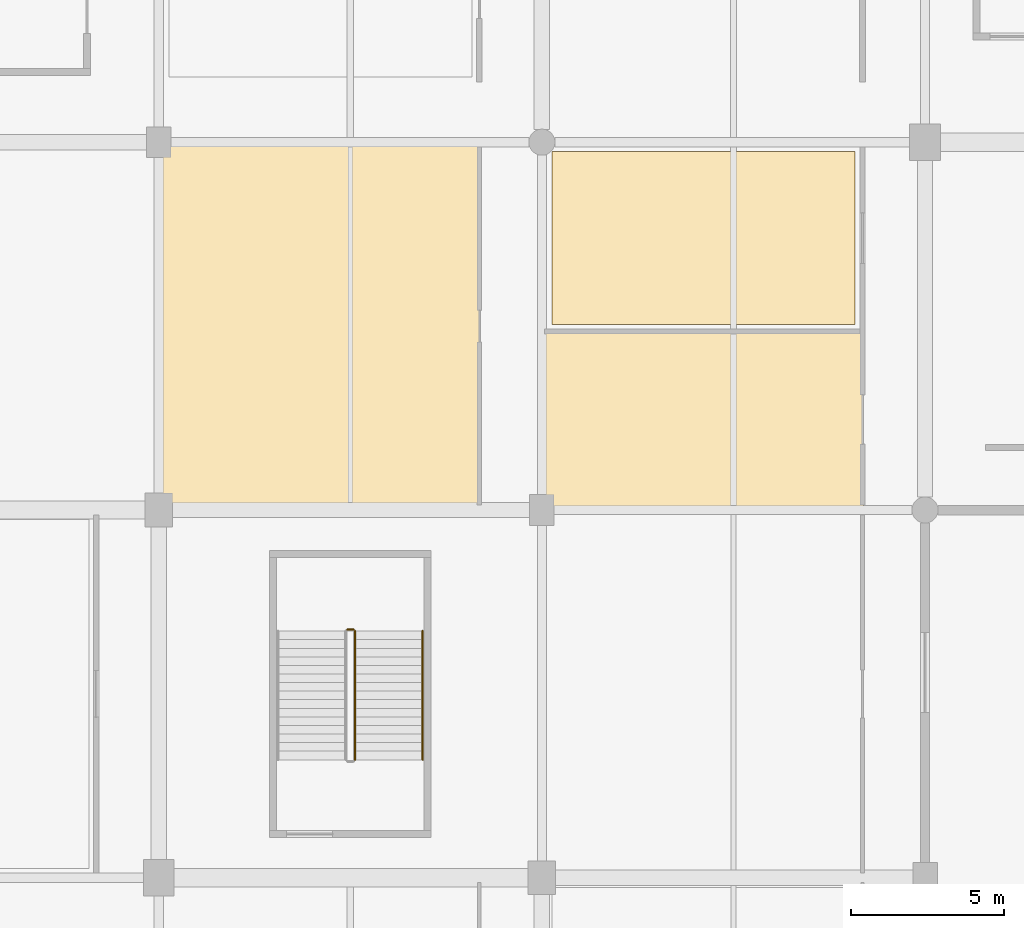
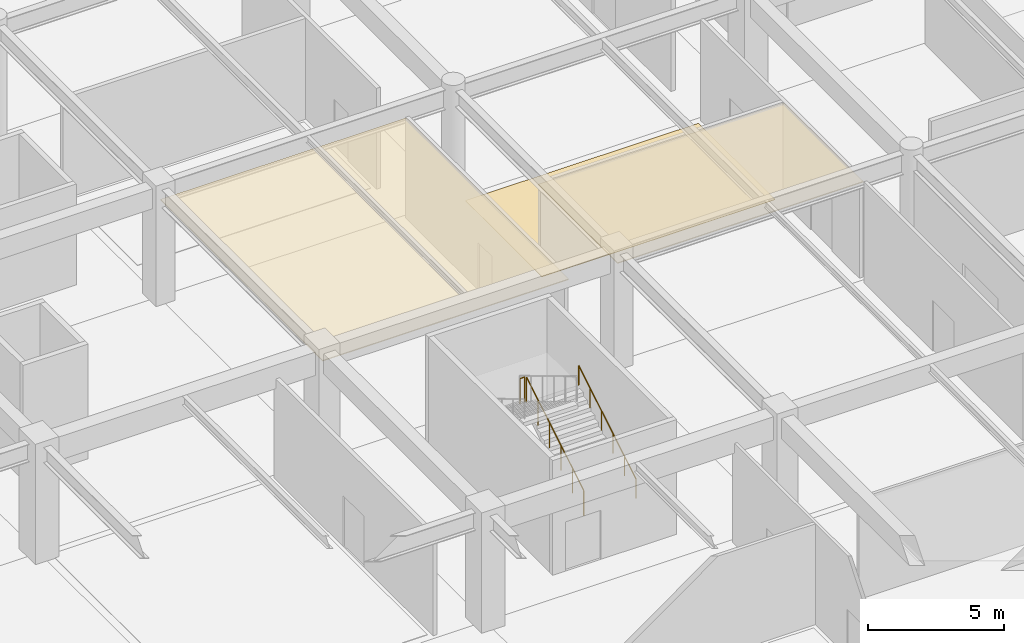
# One storey, part 59 of 69: 3 coverings, 3 railings.
"""IFC4 building model written with IfcOpenShell, lengths in metres."""

from ifc_helpers import new_model, si_unit, direction, frame, origin, origin_2d, place, context, subcontext, project, spatial, polyline, circle, outline, extrude, material, layer, layer_set, type_object, element, save


model = new_model("IFC4")

# Units and contexts
model_context = context("Model", 3, precision=1e-05, world=origin(), true_north=direction((0.0, 1.0)))
body_context = subcontext(model_context, "Body", "Model", "MODEL_VIEW")
ifc_project = project(units=[si_unit("LENGTHUNIT", "METRE"), si_unit("AREAUNIT", "SQUARE_METRE"), si_unit("VOLUMEUNIT", "CUBIC_METRE"), si_unit("PLANEANGLEUNIT", "RADIAN"), si_unit("MASSUNIT", "GRAM", prefix="KILO")], contexts=[model_context])

# Site, building, storey
site_placement = place(None, origin())
site = spatial("IfcSite", under=ifc_project, at=site_placement, CompositionType="ELEMENT")
building_placement = place(site_placement, origin())
building = spatial("IfcBuilding", under=site, at=building_placement, Name="Kazenohara Klinker Stadium", CompositionType="ELEMENT")
storey_placement = place(building_placement, origin())
storey = spatial("IfcBuildingStorey", under=building, at=storey_placement, Name="L00", CompositionType="ELEMENT", Elevation=0.0)

# Coverings
ifc_material_1 = material(Name="Slatted Hokkaido cedar acoustic baffle ceiling", Category="wood")
ifc_layer_1 = layer(ifc_material_1, 0.0400390625)
ifc_layer_set_1 = layer_set([ifc_layer_1], Name="Slatted Hokkaido cedar acoustic baffle ceiling")
covering_type_1 = type_object("IfcCoveringType", Name="COV-CEIL-02", PredefinedType="CEILING", material=ifc_layer_set_1)
covering_1_placement = place(storey_placement, frame((0.0, 0.0, 4.340087890625)))
element("IfcCovering", 1, at=covering_1_placement, inside=storey, type_object=covering_type_1, Name="Suspended acoustic ceiling CL02 Supporter Merchandising Retail Shop L00-0211A", PredefinedType="CEILING", context=body_context, shape_type="SweptSolid", body=[
    extrude(outline(polyline([(24.06005859375, 132.0400390625), (34.489990234375, 132.0400390625), (34.489990234375, 143.9599609375), (24.06005859375, 143.9599609375), (24.06005859375, 132.0400390625)])), origin(), (0.0, 0.0, 1.0), 0.039794921875),
])
covering_2_placement = place(storey_placement, frame((0.0, 0.0, 4.340087890625)))
element("IfcCovering", 2, at=covering_2_placement, inside=storey, type_object=covering_type_1, Name="Suspended acoustic ceiling CL02 Civic Stadium Heritage Museum Exhibition Gallery L00-0311A", PredefinedType="CEILING", context=body_context, shape_type="SweptSolid", body=[
    extrude(outline(polyline([(36.56005859375, 132.0400390625), (46.989990234375, 132.0400390625), (46.989990234375, 137.86474609375), (36.56005859375, 137.86474609375), (36.56005859375, 132.0400390625)])), origin(), (0.0, 0.0, 1.0), 0.039794921875),
])
ifc_material_2 = material(Name="Slip-resistant honed basalt terrazzo flooring", Category="masonry")
ifc_layer_2 = layer(ifc_material_2, 0.02001953125)
ifc_layer_set_2 = layer_set([ifc_layer_2], Name="Slip-resistant honed basalt terrazzo flooring")
covering_type_2 = type_object("IfcCoveringType", Name="COV-FLR-01", PredefinedType="FLOORING", material=ifc_layer_set_2)
covering_3_placement = place(storey_placement, origin())
element("IfcCovering", 3, at=covering_3_placement, inside=storey, type_object=covering_type_2, Name="Interior floor finish FL01 Street-Front Bakery and Cafe Restaurant L00-0311B", PredefinedType="FLOORING", context=body_context, shape_type="SweptSolid", body=[
    extrude(outline(polyline([(36.830078125, 138.0546875), (46.719970703125, 138.0546875), (46.719970703125, 143.68994140625), (36.830078125, 143.68994140625), (36.830078125, 138.0546875)])), origin(), (0.0, 0.0, 1.0), 0.02001953125),
])

# Railings
ifc_material_3 = material(Name="Brushed stainless steel 304 handrail", Category="steel")
ifc_layer_3 = layer(ifc_material_3, 0.050048828125)
ifc_layer_set_3 = layer_set([ifc_layer_3], Name="Brushed stainless steel 304 handrail")
railing_type_1 = type_object("IfcRailingType", Name="RL-HND-900", PredefinedType="HANDRAIL", material=ifc_layer_set_3)
railing_1_placement = place(storey_placement, frame((32.610107421875, 123.85009765625, 0.168701171875)))
element("IfcRailing", 4, at=railing_1_placement, inside=storey, type_object=railing_type_1, Name="L00 ST18 stair handrail 1", PredefinedType="HANDRAIL", context=body_context, shape_type="SweptSolid", body=[
    extrude(circle(Radius=0.02392578125, at=origin_2d()), frame((0.0, 0.0, 0.8759765625), z_axis=(0.0, 0.856476492594, 0.516186030065), x_axis=(-1.0, 0.0, 0.0)), (0.0, 0.0, 1.0), 4.90380859375),
    extrude(circle(Radius=0.02099609375, at=origin_2d()), origin(), (0.0, 0.0, 1.0), 0.851806640625),
    extrude(circle(Radius=0.02099609375, at=origin_2d()), frame((0.0, 0.840087890625, 0.50634765625)), (0.0, 0.0, 1.0), 0.851806640625),
    extrude(circle(Radius=0.02099609375, at=origin_2d()), frame((0.0, 1.679931640625, 1.012451171875)), (0.0, 0.0, 1.0), 0.851806640625),
    extrude(circle(Radius=0.02099609375, at=origin_2d()), frame((0.0, 2.52001953125, 1.518798828125)), (0.0, 0.0, 1.0), 0.851806640625),
    extrude(circle(Radius=0.02099609375, at=origin_2d()), frame((0.0, 3.35986328125, 2.02490234375)), (0.0, 0.0, 1.0), 0.851806640625),
    extrude(circle(Radius=0.02099609375, at=origin_2d()), frame((0.0, 4.199951171875, 2.53125)), (0.0, 0.0, 1.0), 0.851806640625),
])
ifc_material_4 = material(Name="Painted steel stairwell guardrail", Category="steel")
ifc_layer_4 = layer(ifc_material_4, 0.06005859375)
ifc_layer_set_4 = layer_set([ifc_layer_4], Name="Painted steel stairwell guardrail")
railing_type_2 = type_object("IfcRailingType", Name="RL-STG-1120", PredefinedType="GUARDRAIL", material=ifc_layer_set_4)
railing_2_placement = place(storey_placement, frame((30.39990234375, 123.85009765625, 0.168701171875)))
element("IfcRailing", 5, at=railing_2_placement, inside=storey, type_object=railing_type_2, Name="L00 ST18 stair guard 1", PredefinedType="GUARDRAIL", context=body_context, shape_type="SweptSolid", body=[
    extrude(circle(Radius=0.02392578125, at=origin_2d()), frame((0.0, 0.0, 1.1259765625), z_axis=(0.0, 0.856476492594, 0.516186030065), x_axis=(-1.0, 0.0, 0.0)), (0.0, 0.0, 1.0), 4.90380859375),
    extrude(circle(Radius=0.02099609375, at=origin_2d()), origin(), (0.0, 0.0, 1.0), 1.101806640625),
    extrude(circle(Radius=0.02099609375, at=origin_2d()), frame((0.0, 0.840087890625, 0.50634765625)), (0.0, 0.0, 1.0), 1.101806640625),
    extrude(circle(Radius=0.02099609375, at=origin_2d()), frame((0.0, 1.679931640625, 1.012451171875)), (0.0, 0.0, 1.0), 1.101806640625),
    extrude(circle(Radius=0.02099609375, at=origin_2d()), frame((0.0, 2.52001953125, 1.518798828125)), (0.0, 0.0, 1.0), 1.101806640625),
    extrude(circle(Radius=0.02099609375, at=origin_2d()), frame((0.0, 3.35986328125, 2.02490234375)), (0.0, 0.0, 1.0), 1.101806640625),
    extrude(circle(Radius=0.02099609375, at=origin_2d()), frame((0.0, 4.199951171875, 2.53125)), (0.0, 0.0, 1.0), 1.101806640625),
])
railing_3_placement = place(storey_placement, frame((30.35009765625, 128.10009765625, 2.699951171875)))
element("IfcRailing", 6, at=railing_3_placement, inside=storey, type_object=railing_type_2, Name="L00 ST18 stair guard 2", PredefinedType="GUARDRAIL", context=body_context, shape_type="SweptSolid", body=[
    extrude(circle(Radius=0.02392578125, at=origin_2d()), frame((0.0, 0.0, 1.1259765625), z_axis=(-1.0, 0.0, 0.0), x_axis=(0.0, -1.0, 0.0)), (0.0, 0.0, 1.0), 0.2001953125),
    extrude(circle(Radius=0.02099609375, at=origin_2d()), origin(), (0.0, 0.0, 1.0), 1.101806640625),
    extrude(circle(Radius=0.02099609375, at=origin_2d()), frame((-0.2001953125, 0.0, 0.0)), (0.0, 0.0, 1.0), 1.101806640625),
])

save(model, "model.ifc")
